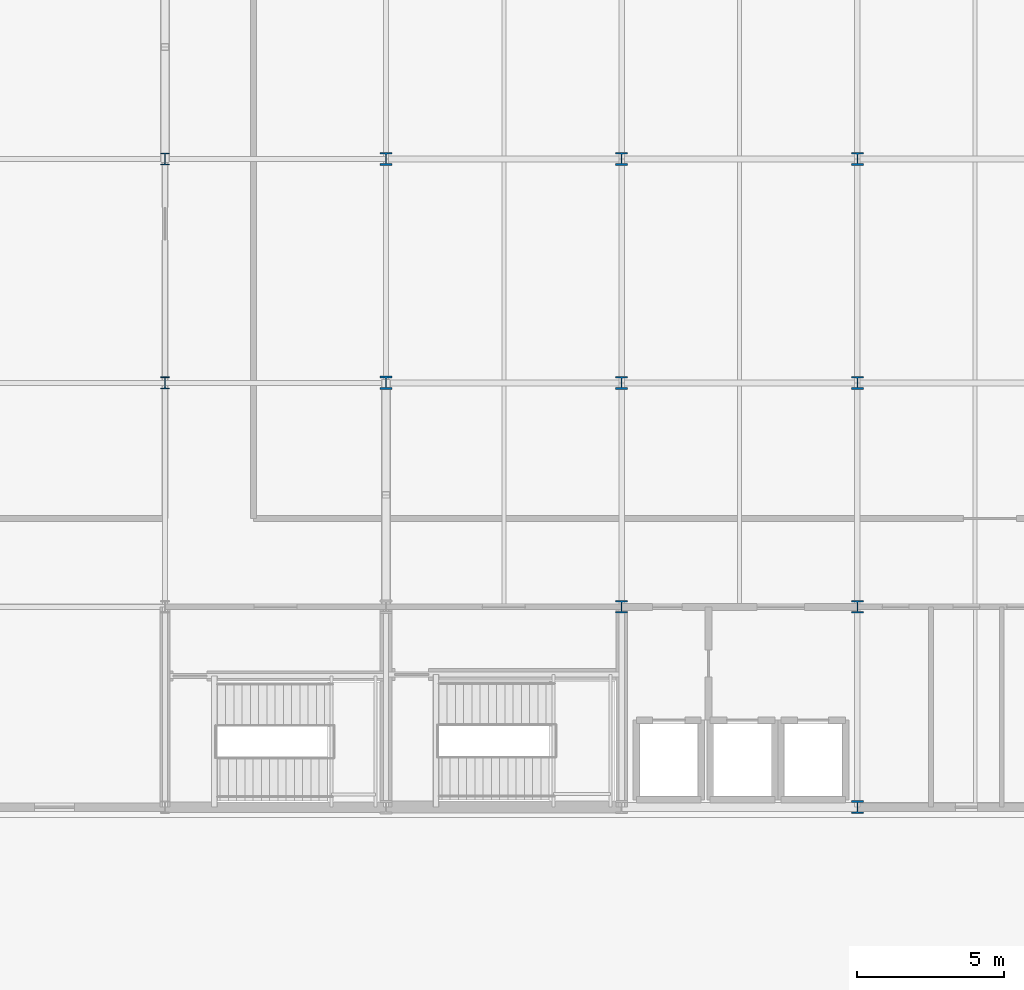
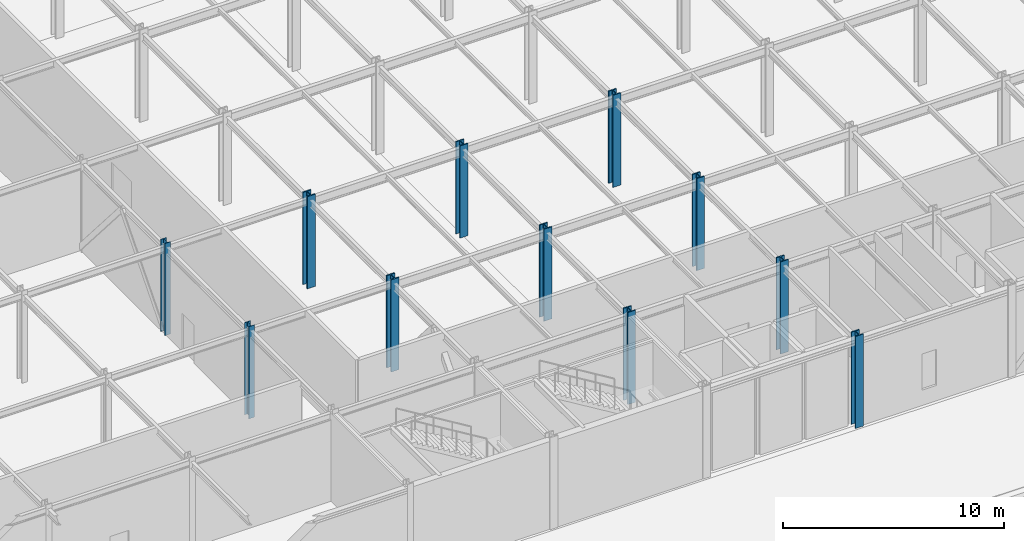
# One storey, part 2 of 113: 11 columns.
"""IFC4 building model written with IfcOpenShell, lengths in metres."""

from ifc_helpers import new_model, si_unit, direction, frame, origin, origin_2d, place, context, subcontext, project, spatial, i_section, extrude, material, material_profile, profile_set, type_object, element, save


model = new_model("IFC4")

# Units and contexts
model_context = context("Model", 3, precision=1e-05, world=origin(), true_north=direction((0.0, 1.0)))
body_context = subcontext(model_context, "Body", "Model", "MODEL_VIEW")
ifc_project = project(units=[si_unit("LENGTHUNIT", "METRE"), si_unit("AREAUNIT", "SQUARE_METRE"), si_unit("VOLUMEUNIT", "CUBIC_METRE"), si_unit("PLANEANGLEUNIT", "RADIAN"), si_unit("MASSUNIT", "GRAM", prefix="KILO")], contexts=[model_context])

# Site, building, storey
site_placement = place(None, origin())
site = spatial("IfcSite", under=ifc_project, at=site_placement, CompositionType="ELEMENT")
building_placement = place(site_placement, origin())
building = spatial("IfcBuilding", under=site, at=building_placement, Name="Shalkamar Park Central Library", CompositionType="ELEMENT")
storey_placement = place(building_placement, frame((0.0, 0.0, 5.39990234375)))
storey = spatial("IfcBuildingStorey", under=building, at=storey_placement, Name="L02", CompositionType="ELEMENT", Elevation=5.39990234375)

# Columns
ifc_material = material(Name="Steel S355", Category="steel")
ifc_material_profile_1 = material_profile(ifc_material, i_section(OverallWidth=0.412109375, OverallDepth=0.43505859375, WebThickness=0.035888671875, FlangeThickness=0.057373046875, FilletRadius=0.014892578125, at=origin_2d()), Name="HD 400x463")
ifc_profile_set_1 = profile_set([ifc_material_profile_1], Name="Steel S355")
column_type_1 = type_object("IfcColumnType", Name="Column Steel HD400x463", PredefinedType="COLUMN", material=ifc_profile_set_1)
for number, where, z_axis, x_axis, name in (
    (1, (173.0, 255.199951171875, 0.0), (0.0, 0.0, 1.0), (1.0, 0.0, 0.0), "Column 08/C (L02)"),
    (2, (173.0, 262.800048828125, 0.0), (0.0, 0.0, 1.0), (1.0, 0.0, 0.0), "Column 08/D (L02)"),
    (3, (173.0, 270.39990234375, 0.0), (0.0, 0.0, 1.0), (1.0, 0.0, 0.0), "Column 08/E (L02)"),
    (4, (181.0, 248.39990234375, 0.0), (0.0, 0.0, 1.0), (1.0, 0.0, 0.0), "Column 09/B (L02)"),
    (5, (181.0, 255.199951171875, 0.0), (0.0, 0.0, 1.0), (1.0, 0.0, 0.0), "Column 09/C (L02)"),
    (6, (181.0, 262.800048828125, 0.0), (0.0, 0.0, 1.0), (1.0, 0.0, 0.0), "Column 09/D (L02)"),
    (7, (181.0, 270.39990234375, 0.0), (0.0, 0.0, 1.0), (1.0, 0.0, 0.0), "Column 09/E (L02)"),
):
    element("IfcColumn", number, at=place(storey_placement, frame(where, z_axis=z_axis, x_axis=x_axis)), inside=storey, type_object=column_type_1, Name=name, PredefinedType="COLUMN", context=body_context, shape_type="SweptSolid", body=[
        extrude(i_section(OverallWidth=0.412109375, OverallDepth=0.43505859375, WebThickness=0.035888671875, FlangeThickness=0.057373046875, FilletRadius=0.014892578125, at=origin_2d()), origin(), (0.0, 0.0, 1.0), 5.10009765625),
    ])
ifc_material_profile_2 = material_profile(ifc_material, i_section(OverallWidth=0.41796875, OverallDepth=0.455078125, WebThickness=0.0419921875, FlangeThickness=0.067626953125, FilletRadius=0.014892578125, at=origin_2d()), Name="HD 400x551")
ifc_profile_set_2 = profile_set([ifc_material_profile_2], Name="Steel S355")
column_type_2 = type_object("IfcColumnType", Name="Column Steel HD400x551", PredefinedType="COLUMN", material=ifc_profile_set_2)
for number, where, z_axis, x_axis, name in (
    (8, (165.0, 262.800048828125, 0.0), (0.0, 0.0, 1.0), (1.0, 0.0, 0.0), "Column 07/D (L02)"),
    (9, (165.0, 270.39990234375, 0.0), (0.0, 0.0, 1.0), (1.0, 0.0, 0.0), "Column 07/E (L02)"),
):
    element("IfcColumn", number, at=place(storey_placement, frame(where, z_axis=z_axis, x_axis=x_axis)), inside=storey, type_object=column_type_2, Name=name, PredefinedType="COLUMN", context=body_context, shape_type="SweptSolid", body=[
        extrude(i_section(OverallWidth=0.41796875, OverallDepth=0.455078125, WebThickness=0.0419921875, FlangeThickness=0.067626953125, FilletRadius=0.014892578125, at=origin_2d()), origin(), (0.0, 0.0, 1.0), 5.10009765625),
    ])
ifc_material_profile_3 = material_profile(ifc_material, i_section(OverallWidth=0.300048828125, OverallDepth=0.39990234375, WebThickness=0.013427734375, FlangeThickness=0.02392578125, FilletRadius=0.027099609375, at=origin_2d()), Name="HEB 400")
ifc_profile_set_3 = profile_set([ifc_material_profile_3], Name="Steel S355")
column_type_3 = type_object("IfcColumnType", Name="Column Steel HEB400", PredefinedType="COLUMN", material=ifc_profile_set_3)
for number, where, z_axis, x_axis, name in (
    (10, (157.5, 262.800048828125, 0.0), (0.0, 0.0, 1.0), (1.0, 0.0, 0.0), "Column 06/D (L02)"),
    (11, (157.5, 270.39990234375, 0.0), (0.0, 0.0, 1.0), (1.0, 0.0, 0.0), "Column 06/E (L02)"),
):
    element("IfcColumn", number, at=place(storey_placement, frame(where, z_axis=z_axis, x_axis=x_axis)), inside=storey, type_object=column_type_3, Name=name, PredefinedType="COLUMN", context=body_context, shape_type="SweptSolid", body=[
        extrude(i_section(OverallWidth=0.300048828125, OverallDepth=0.39990234375, WebThickness=0.013427734375, FlangeThickness=0.02392578125, FilletRadius=0.027099609375, at=origin_2d()), origin(), (0.0, 0.0, 1.0), 5.10009765625),
    ])

save(model, "model.ifc")
